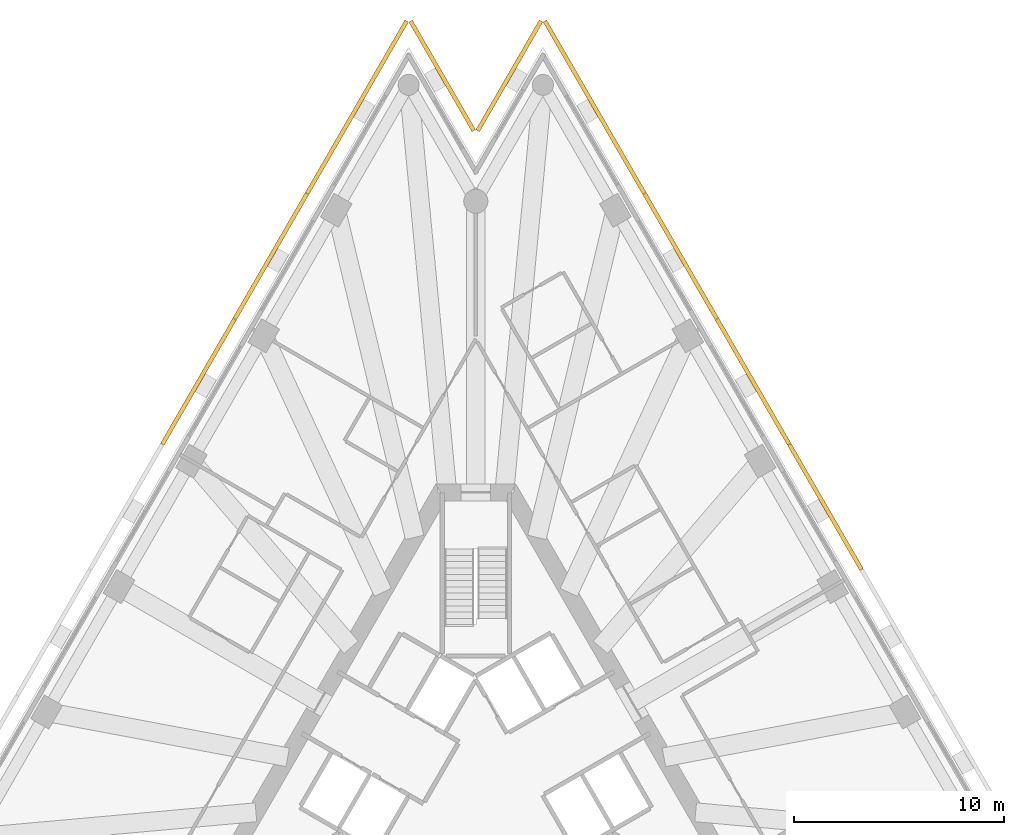
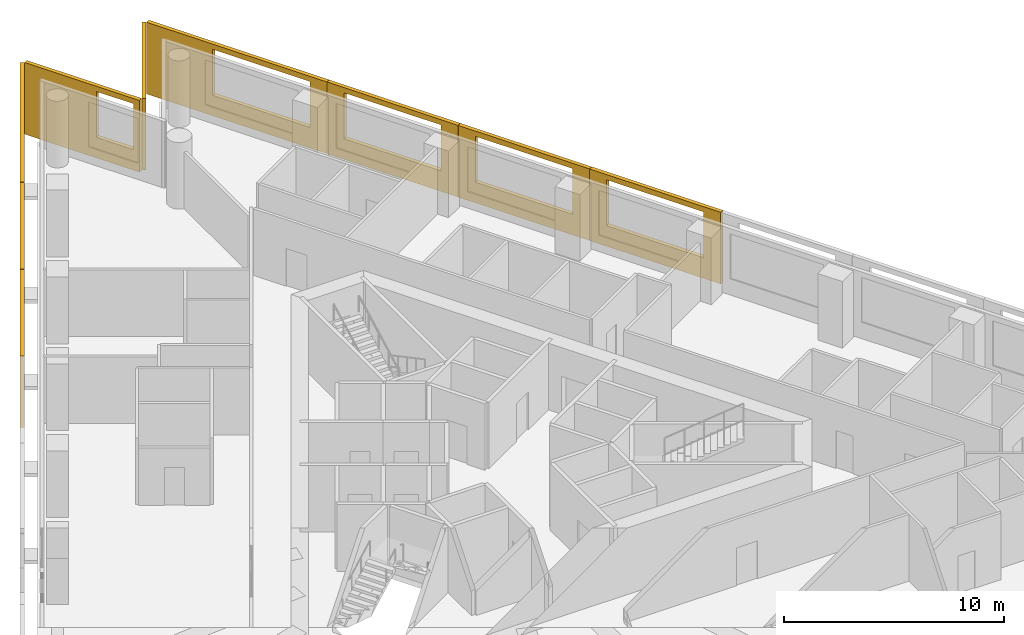
# One storey, part 10 of 10: 9 shading devices.
"""IFC4 building model written with IfcOpenShell, lengths in metres."""

from ifc_helpers import new_model, si_unit, direction, frame, origin, place, context, subcontext, project, spatial, polyline, outline, extrude, material, layer, layer_set, type_object, element, save


model = new_model("IFC4")

# Units and contexts
model_context = context("Model", 3, precision=1e-05, world=origin(), true_north=direction((0.0, 1.0)))
body_context = subcontext(model_context, "Body", "Model", "MODEL_VIEW")
ifc_project = project(units=[si_unit("LENGTHUNIT", "METRE"), si_unit("AREAUNIT", "SQUARE_METRE"), si_unit("VOLUMEUNIT", "CUBIC_METRE"), si_unit("PLANEANGLEUNIT", "RADIAN"), si_unit("MASSUNIT", "GRAM", prefix="KILO")], contexts=[model_context])

# Site, building, storey
site_placement = place(None, origin())
site = spatial("IfcSite", under=ifc_project, at=site_placement, CompositionType="ELEMENT")
building_placement = place(site_placement, origin())
building = spatial("IfcBuilding", under=site, at=building_placement, Name="Triada Interchange Tower", CompositionType="ELEMENT")
storey_placement = place(building_placement, frame((0.0, 0.0, 124.300048828125)))
storey = spatial("IfcBuildingStorey", under=building, at=storey_placement, Name="L28", CompositionType="ELEMENT", Elevation=124.300048828125)

# Shading devices
ifc_material = material(Name="Concrete C50/60 precast", Category="concrete")
ifc_layer_1 = layer(ifc_material, 0.02001953125, Name="Exposed aggregate face")
ifc_layer_2 = layer(ifc_material, 0.179931640625, Name="Precast concrete screen")
ifc_layer_set = layer_set([ifc_layer_1, ifc_layer_2], Name="Outer skin screen panel 3980")
shading_device_type = type_object("IfcShadingDeviceType", Name="Outer skin screen panel 3980", PredefinedType="SHUTTER", material=ifc_layer_set)
shading_device_1_placement = place(storey_placement, frame((-3.2041015625, 36.697998046875, -0.2900390625), z_axis=(0.0, 0.0, 1.0), x_axis=(-0.500001985578, -0.866024257407, 0.0)))
element("IfcShadingDevice", 1, at=shading_device_1_placement, inside=storey, type_object=shading_device_type, Name="Outer skin screen panel L28 01", PredefinedType="SHUTTER", context=body_context, shape_type="SweptSolid", body=[
    extrude(outline(polyline([(0.0, 0.0), (9.4755859375, 0.0), (9.4755859375, 3.97998046875), (0.0, 3.97998046875), (0.0, 0.0)]), holes=[polyline([(3.486572265625, 1.139892578125), (3.486572265625, 3.68994140625), (8.586669921875, 3.68994140625), (8.586669921875, 1.139892578125), (3.486572265625, 1.139892578125)])]), frame((0.0, 0.0, 0.0), z_axis=(0.0, -1.0, 0.0), x_axis=(1.0, 0.0, 0.0)), (0.0, 0.0, 1.0), 0.199951171875),
])
shading_device_2_placement = place(storey_placement, frame((-7.951904296875, 28.47509765625, -0.2900390625), z_axis=(0.0, 0.0, 1.0), x_axis=(-0.499990774396, -0.866030730124, 0.0)))
element("IfcShadingDevice", 2, at=shading_device_2_placement, inside=storey, type_object=shading_device_type, Name="Outer skin screen panel L28 02", PredefinedType="SHUTTER", context=body_context, shape_type="SweptSolid", body=[
    extrude(outline(polyline([(0.0, 0.0), (6.878662109375, 0.0), (6.878662109375, 3.97998046875), (0.0, 3.97998046875), (0.0, 0.0)]), holes=[polyline([(0.888671875, 1.139892578125), (0.888671875, 3.68994140625), (5.98876953125, 3.68994140625), (5.98876953125, 1.139892578125), (0.888671875, 1.139892578125)])]), frame((0.0, 0.0, 0.0), z_axis=(0.0, -1.0, 0.0), x_axis=(1.0, 0.0, 0.0)), (0.0, 0.0, 1.0), 0.199951171875),
])
shading_device_3_placement = place(storey_placement, frame((-11.40087890625, 22.5009765625, -0.2900390625), z_axis=(0.0, 0.0, 1.0), x_axis=(-0.499990774396, -0.866030730124, 0.0)))
element("IfcShadingDevice", 3, at=shading_device_3_placement, inside=storey, type_object=shading_device_type, Name="Outer skin screen panel L28 03", PredefinedType="SHUTTER", context=body_context, shape_type="SweptSolid", body=[
    extrude(outline(polyline([(0.0, 0.0), (6.878662109375, 0.0), (6.878662109375, 3.97998046875), (0.0, 3.97998046875), (0.0, 0.0)]), holes=[polyline([(0.888916015625, 1.139892578125), (0.888916015625, 3.68994140625), (5.98876953125, 3.68994140625), (5.98876953125, 1.139892578125), (0.888916015625, 1.139892578125)])]), frame((0.0, 0.0, 0.0), z_axis=(0.0, -1.0, 0.0), x_axis=(1.0, 0.0, 0.0)), (0.0, 0.0, 1.0), 0.199951171875),
])
shading_device_4_placement = place(storey_placement, frame((18.2890625, 10.571044921875, -0.2900390625), z_axis=(0.0, 0.0, 1.0), x_axis=(-0.500025633803, 0.866010603596, 0.0)))
element("IfcShadingDevice", 4, at=shading_device_4_placement, inside=storey, type_object=shading_device_type, Name="Outer skin screen panel L28 25", PredefinedType="SHUTTER", context=body_context, shape_type="SweptSolid", body=[
    extrude(outline(polyline([(0.0, 0.0), (6.877685546875, 0.0), (6.877685546875, 3.97998046875), (0.0, 3.97998046875), (0.0, 0.0)]), holes=[polyline([(0.888916015625, 1.139892578125), (0.888916015625, 3.68994140625), (5.98876953125, 3.68994140625), (5.98876953125, 1.139892578125), (0.888916015625, 1.139892578125)])]), frame((0.0, 0.0, 0.0), z_axis=(0.0, -1.0, 0.0), x_axis=(1.0, 0.0, 0.0)), (0.0, 0.0, 1.0), 0.199951171875),
])
shading_device_5_placement = place(storey_placement, frame((14.840087890625, 16.5439453125, -0.2900390625), z_axis=(0.0, 0.0, 1.0), x_axis=(-0.499990774396, 0.866030730124, 0.0)))
element("IfcShadingDevice", 5, at=shading_device_5_placement, inside=storey, type_object=shading_device_type, Name="Outer skin screen panel L28 26", PredefinedType="SHUTTER", context=body_context, shape_type="SweptSolid", body=[
    extrude(outline(polyline([(0.0, 0.0), (6.878662109375, 0.0), (6.878662109375, 3.97998046875), (0.0, 3.97998046875), (0.0, 0.0)]), holes=[polyline([(0.888916015625, 1.139892578125), (0.888916015625, 3.68994140625), (5.989013671875, 3.68994140625), (5.989013671875, 1.139892578125), (0.888916015625, 1.139892578125)])]), frame((0.0, 0.0, 0.0), z_axis=(0.0, -1.0, 0.0), x_axis=(1.0, 0.0, 0.0)), (0.0, 0.0, 1.0), 0.199951171875),
])
shading_device_6_placement = place(storey_placement, frame((11.39111328125, 22.51806640625, -0.2900390625), z_axis=(0.0, 0.0, 1.0), x_axis=(-0.499990774396, 0.866030730124, 0.0)))
element("IfcShadingDevice", 6, at=shading_device_6_placement, inside=storey, type_object=shading_device_type, Name="Outer skin screen panel L28 27", PredefinedType="SHUTTER", context=body_context, shape_type="SweptSolid", body=[
    extrude(outline(polyline([(0.0, 0.0), (6.878662109375, 0.0), (6.878662109375, 3.97998046875), (0.0, 3.97998046875), (0.0, 0.0)]), holes=[polyline([(0.88916015625, 1.139892578125), (0.88916015625, 3.68994140625), (5.989013671875, 3.68994140625), (5.989013671875, 1.139892578125), (0.88916015625, 1.139892578125)])]), frame((0.0, 0.0, 0.0), z_axis=(0.0, -1.0, 0.0), x_axis=(1.0, 0.0, 0.0)), (0.0, 0.0, 1.0), 0.199951171875),
])
shading_device_7_placement = place(storey_placement, frame((7.94189453125, 28.491943359375, -0.2900390625), z_axis=(0.0, 0.0, 1.0), x_axis=(-0.500001985578, 0.866024257407, 0.0)))
element("IfcShadingDevice", 7, at=shading_device_7_placement, inside=storey, type_object=shading_device_type, Name="Outer skin screen panel L28 28", PredefinedType="SHUTTER", context=body_context, shape_type="SweptSolid", body=[
    extrude(outline(polyline([(0.0, 0.0), (9.4755859375, 0.0), (9.4755859375, 3.97998046875), (0.0, 3.97998046875), (0.0, 0.0)]), holes=[polyline([(0.88916015625, 1.139892578125), (0.88916015625, 3.68994140625), (5.9892578125, 3.68994140625), (5.9892578125, 1.139892578125), (0.88916015625, 1.139892578125)])]), frame((0.0, 0.0, 0.0), z_axis=(0.0, -1.0, 0.0), x_axis=(1.0, 0.0, 0.0)), (0.0, 0.0, 1.0), 0.199951171875),
])
shading_device_8_placement = place(storey_placement, frame((3.194091796875, 36.697998046875, -0.2900390625), z_axis=(0.0, 0.0, 1.0), x_axis=(-0.50001324368, -0.866017757407, 0.0)))
element("IfcShadingDevice", 8, at=shading_device_8_placement, inside=storey, type_object=shading_device_type, Name="Outer skin screen panel L28 29", PredefinedType="SHUTTER", context=body_context, shape_type="SweptSolid", body=[
    extrude(outline(polyline([(0.0, 0.0), (6.031982421875, 0.0), (6.031982421875, 3.97998046875), (0.0, 3.97998046875), (0.0, 0.0)]), holes=[polyline([(3.17578125, 1.139892578125), (3.17578125, 3.68994140625), (5.732666015625, 3.68994140625), (5.732666015625, 1.139892578125), (3.17578125, 1.139892578125)])]), frame((0.0, 0.0, 0.0), z_axis=(0.0, -1.0, 0.0), x_axis=(1.0, 0.0, 0.0)), (0.0, 0.0, 1.0), 0.199951171875),
])
shading_device_9_placement = place(storey_placement, frame((-0.177978515625, 31.47412109375, -0.2900390625), z_axis=(0.0, 0.0, 1.0), x_axis=(-0.50001324368, 0.866017757407, 0.0)))
element("IfcShadingDevice", 9, at=shading_device_9_placement, inside=storey, type_object=shading_device_type, Name="Outer skin screen panel L28 30", PredefinedType="SHUTTER", context=body_context, shape_type="SweptSolid", body=[
    extrude(outline(polyline([(0.0, 0.0), (6.031982421875, 0.0), (6.031982421875, 3.97998046875), (0.0, 3.97998046875), (0.0, 0.0)]), holes=[polyline([(0.300048828125, 1.139892578125), (0.300048828125, 3.68994140625), (2.2578125, 3.68994140625), (2.2578125, 1.139892578125), (0.300048828125, 1.139892578125)])]), frame((0.0, 0.0, 0.0), z_axis=(0.0, -1.0, 0.0), x_axis=(1.0, 0.0, 0.0)), (0.0, 0.0, 1.0), 0.199951171875),
])

save(model, "model.ifc")
